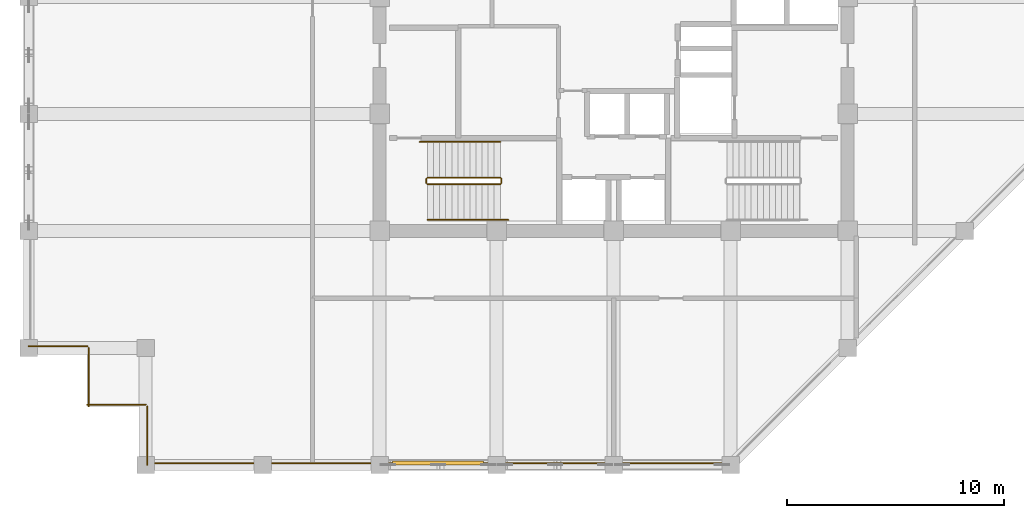
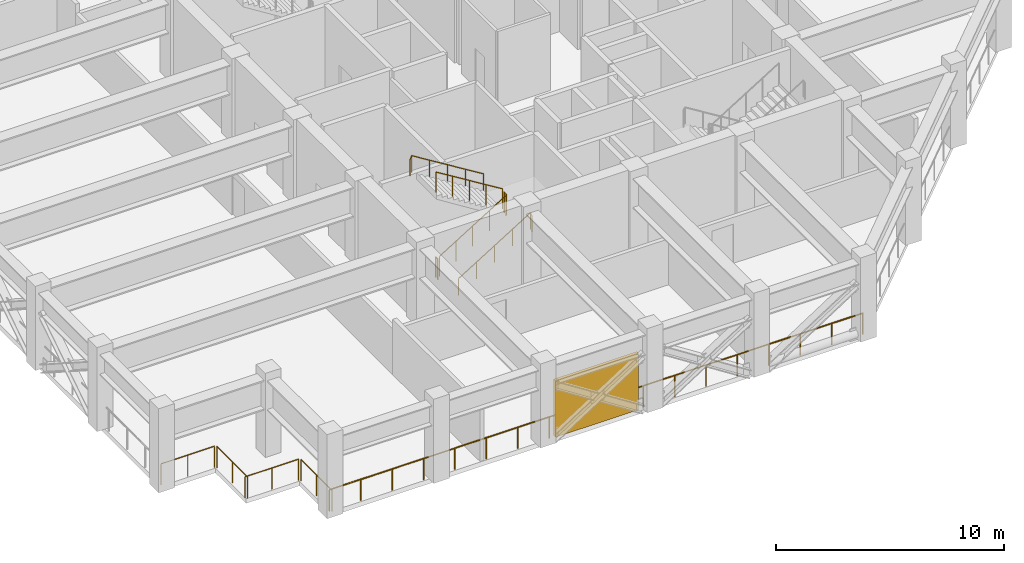
# One storey, part 7 of 11: 11 railings, 1 shading device.
"""IFC4 building model written with IfcOpenShell, lengths in metres."""

from ifc_helpers import new_model, si_unit, direction, frame, origin, origin_2d, place, context, subcontext, project, spatial, rectangle, circle, extrude, material, type_object, element, save


model = new_model("IFC4")

# Units and contexts
model_context = context("Model", 3, precision=1e-05, world=origin(), true_north=direction((0.0, 1.0)))
body_context = subcontext(model_context, "Body", "Model", "MODEL_VIEW")
ifc_project = project(units=[si_unit("LENGTHUNIT", "METRE"), si_unit("AREAUNIT", "SQUARE_METRE"), si_unit("VOLUMEUNIT", "CUBIC_METRE"), si_unit("PLANEANGLEUNIT", "RADIAN"), si_unit("MASSUNIT", "GRAM", prefix="KILO")], contexts=[model_context])

# Site, building, storey
site_placement = place(None, origin())
site = spatial("IfcSite", under=ifc_project, at=site_placement, CompositionType="ELEMENT")
building_placement = place(site_placement, origin())
building = spatial("IfcBuilding", under=site, at=building_placement, Name="Surkhivell Harbour Commons", CompositionType="ELEMENT")
storey_placement = place(building_placement, frame((0.0, 0.0, 254.25)))
storey = spatial("IfcBuildingStorey", under=building, at=storey_placement, Name="L66", CompositionType="ELEMENT", Elevation=254.25)

# Railings
ifc_material_1 = material(Name="Laminated safety glass and stainless steel S355 balustrade", Category="steel")
railing_type_1 = type_object("IfcRailingType", Name="RAL-BAL-1150", PredefinedType="BALUSTRADE", material=ifc_material_1)
railing_1_placement = place(storey_placement, frame((-21.60009765625, -21.52001953125, 0.0)))
element("IfcRailing", 1, at=railing_1_placement, inside=storey, type_object=railing_type_1, Name="L66 Perimeter Safety Guard 01", PredefinedType="BALUSTRADE", context=body_context, shape_type="SweptSolid", body=[
    extrude(circle(Radius=0.02392578125, at=origin_2d()), frame((0.0, 0.0, 1.1259765625), z_axis=(1.0, 0.0, 0.0), x_axis=(0.0, 1.0, 0.0)), (0.0, 0.0, 1.0), 27.0),
    extrude(circle(Radius=0.02099609375, at=origin_2d()), origin(), (0.0, 0.0, 1.0), 1.101806640625),
    extrude(circle(Radius=0.02099609375, at=origin_2d()), frame((1.588134765625, 0.0, 0.0)), (0.0, 0.0, 1.0), 1.101806640625),
    extrude(circle(Radius=0.02099609375, at=origin_2d()), frame((3.176513671875, 0.0, 0.0)), (0.0, 0.0, 1.0), 1.101806640625),
    extrude(circle(Radius=0.02099609375, at=origin_2d()), frame((4.7646484375, 0.0, 0.0)), (0.0, 0.0, 1.0), 1.101806640625),
    extrude(circle(Radius=0.02099609375, at=origin_2d()), frame((6.35302734375, 0.0, 0.0)), (0.0, 0.0, 1.0), 1.101806640625),
    extrude(circle(Radius=0.02099609375, at=origin_2d()), frame((7.941162109375, 0.0, 0.0)), (0.0, 0.0, 1.0), 1.101806640625),
    extrude(circle(Radius=0.02099609375, at=origin_2d()), frame((9.529296875, 0.0, 0.0)), (0.0, 0.0, 1.0), 1.101806640625),
    extrude(circle(Radius=0.02099609375, at=origin_2d()), frame((11.11767578125, 0.0, 0.0)), (0.0, 0.0, 1.0), 1.101806640625),
    extrude(circle(Radius=0.02099609375, at=origin_2d()), frame((12.705810546875, 0.0, 0.0)), (0.0, 0.0, 1.0), 1.101806640625),
    extrude(circle(Radius=0.02099609375, at=origin_2d()), frame((14.294189453125, 0.0, 0.0)), (0.0, 0.0, 1.0), 1.101806640625),
    extrude(circle(Radius=0.02099609375, at=origin_2d()), frame((15.88232421875, 0.0, 0.0)), (0.0, 0.0, 1.0), 1.101806640625),
    extrude(circle(Radius=0.02099609375, at=origin_2d()), frame((17.470703125, 0.0, 0.0)), (0.0, 0.0, 1.0), 1.101806640625),
    extrude(circle(Radius=0.02099609375, at=origin_2d()), frame((19.058837890625, 0.0, 0.0)), (0.0, 0.0, 1.0), 1.101806640625),
    extrude(circle(Radius=0.02099609375, at=origin_2d()), frame((20.64697265625, 0.0, 0.0)), (0.0, 0.0, 1.0), 1.101806640625),
    extrude(circle(Radius=0.02099609375, at=origin_2d()), frame((22.2353515625, 0.0, 0.0)), (0.0, 0.0, 1.0), 1.101806640625),
    extrude(circle(Radius=0.02099609375, at=origin_2d()), frame((23.823486328125, 0.0, 0.0)), (0.0, 0.0, 1.0), 1.101806640625),
    extrude(circle(Radius=0.02099609375, at=origin_2d()), frame((25.411865234375, 0.0, 0.0)), (0.0, 0.0, 1.0), 1.101806640625),
    extrude(circle(Radius=0.02099609375, at=origin_2d()), frame((27.0, 0.0, 0.0)), (0.0, 0.0, 1.0), 1.101806640625),
])
railing_2_placement = place(storey_placement, frame((-27.0, -16.1201171875, 0.0)))
element("IfcRailing", 2, at=railing_2_placement, inside=storey, type_object=railing_type_1, Name="L66 Perimeter Safety Guard 14", PredefinedType="BALUSTRADE", context=body_context, shape_type="SweptSolid", body=[
    extrude(circle(Radius=0.02392578125, at=origin_2d()), frame((0.0, 0.0, 1.1259765625), z_axis=(1.0, 0.0, 0.0), x_axis=(0.0, 1.0, 0.0)), (0.0, 0.0, 1.0), 2.699951171875),
    extrude(circle(Radius=0.02099609375, at=origin_2d()), origin(), (0.0, 0.0, 1.0), 1.101806640625),
    extrude(circle(Radius=0.02099609375, at=origin_2d()), frame((1.35009765625, 0.0, 0.0)), (0.0, 0.0, 1.0), 1.101806640625),
    extrude(circle(Radius=0.02099609375, at=origin_2d()), frame((2.699951171875, 0.0, 0.0)), (0.0, 0.0, 1.0), 1.101806640625),
])
railing_3_placement = place(storey_placement, frame((-24.219970703125, -16.199951171875, 0.0)))
element("IfcRailing", 3, at=railing_3_placement, inside=storey, type_object=railing_type_1, Name="L66 Perimeter Safety Guard 15", PredefinedType="BALUSTRADE", context=body_context, shape_type="SweptSolid", body=[
    extrude(circle(Radius=0.02392578125, at=origin_2d()), frame((0.0, 0.0, 1.1259765625), z_axis=(0.0, -1.0, 0.0), x_axis=(1.0, 0.0, 0.0)), (0.0, 0.0, 1.0), 2.699951171875),
    extrude(circle(Radius=0.02099609375, at=origin_2d()), origin(), (0.0, 0.0, 1.0), 1.101806640625),
    extrude(circle(Radius=0.02099609375, at=origin_2d()), frame((0.0, -1.35009765625, 0.0)), (0.0, 0.0, 1.0), 1.101806640625),
    extrude(circle(Radius=0.02099609375, at=origin_2d()), frame((0.0, -2.699951171875, 0.0)), (0.0, 0.0, 1.0), 1.101806640625),
])
railing_4_placement = place(storey_placement, frame((-24.300048828125, -18.820068359375, 0.0)))
element("IfcRailing", 4, at=railing_4_placement, inside=storey, type_object=railing_type_1, Name="L66 Perimeter Safety Guard 16", PredefinedType="BALUSTRADE", context=body_context, shape_type="SweptSolid", body=[
    extrude(circle(Radius=0.02392578125, at=origin_2d()), frame((0.0, 0.0, 1.1259765625), z_axis=(1.0, 0.0, 0.0), x_axis=(0.0, 1.0, 0.0)), (0.0, 0.0, 1.0), 2.699951171875),
    extrude(circle(Radius=0.02099609375, at=origin_2d()), origin(), (0.0, 0.0, 1.0), 1.101806640625),
    extrude(circle(Radius=0.02099609375, at=origin_2d()), frame((1.35009765625, 0.0, 0.0)), (0.0, 0.0, 1.0), 1.101806640625),
    extrude(circle(Radius=0.02099609375, at=origin_2d()), frame((2.699951171875, 0.0, 0.0)), (0.0, 0.0, 1.0), 1.101806640625),
])
railing_5_placement = place(storey_placement, frame((-21.52001953125, -18.89990234375, 0.0)))
element("IfcRailing", 5, at=railing_5_placement, inside=storey, type_object=railing_type_1, Name="L66 Perimeter Safety Guard 17", PredefinedType="BALUSTRADE", context=body_context, shape_type="SweptSolid", body=[
    extrude(circle(Radius=0.02392578125, at=origin_2d()), frame((0.0, 0.0, 1.1259765625), z_axis=(0.0, -1.0, 0.0), x_axis=(1.0, 0.0, 0.0)), (0.0, 0.0, 1.0), 2.7001953125),
    extrude(circle(Radius=0.02099609375, at=origin_2d()), origin(), (0.0, 0.0, 1.0), 1.101806640625),
    extrude(circle(Radius=0.02099609375, at=origin_2d()), frame((0.0, -1.35009765625, 0.0)), (0.0, 0.0, 1.0), 1.101806640625),
    extrude(circle(Radius=0.02099609375, at=origin_2d()), frame((0.0, -2.7001953125, 0.0)), (0.0, 0.0, 1.0), 1.101806640625),
])
ifc_material_2 = material(Name="Galvanised and painted steel S355 guard rail", Category="steel")
railing_type_2 = type_object("IfcRailingType", Name="RAL-ST-GRD1100", PredefinedType="GUARDRAIL", material=ifc_material_2)
railing_6_placement = place(storey_placement, frame((-8.590087890625, -8.639892578125, 0.173095703125)))
element("IfcRailing", 6, at=railing_6_placement, inside=storey, type_object=railing_type_2, Name="L66 ST3 stair guard 1", PredefinedType="GUARDRAIL", context=body_context, shape_type="SweptSolid", body=[
    extrude(circle(Radius=0.02392578125, at=origin_2d()), frame((0.0, 0.0, 1.076171875), z_axis=(0.850623216509, 0.0, 0.525775754039), x_axis=(0.0, 1.0, 0.0)), (0.0, 0.0, 1.0), 3.9501953125),
    extrude(circle(Radius=0.02099609375, at=origin_2d()), origin(), (0.0, 0.0, 1.0), 1.052001953125),
    extrude(circle(Radius=0.02099609375, at=origin_2d()), frame((0.840087890625, 0.0, 0.519287109375)), (0.0, 0.0, 1.0), 1.052001953125),
    extrude(circle(Radius=0.02099609375, at=origin_2d()), frame((1.68017578125, 0.0, 1.03857421875)), (0.0, 0.0, 1.0), 1.052001953125),
    extrude(circle(Radius=0.02099609375, at=origin_2d()), frame((2.52001953125, 0.0, 1.5576171875)), (0.0, 0.0, 1.0), 1.052001953125),
    extrude(circle(Radius=0.02099609375, at=origin_2d()), frame((3.360107421875, 0.0, 2.076904296875)), (0.0, 0.0, 1.0), 1.052001953125),
])
railing_7_placement = place(storey_placement, frame((-5.179931640625, -8.590087890625, 2.25)))
element("IfcRailing", 7, at=railing_7_placement, inside=storey, type_object=railing_type_2, Name="L66 ST3 stair guard 2", PredefinedType="GUARDRAIL", context=body_context, shape_type="SweptSolid", body=[
    extrude(circle(Radius=0.02392578125, at=origin_2d()), frame((0.0, 0.0, 1.076171875), z_axis=(0.0, 1.0, 0.0), x_axis=(-1.0, 0.0, 0.0)), (0.0, 0.0, 1.0), 0.2001953125),
    extrude(circle(Radius=0.02099609375, at=origin_2d()), origin(), (0.0, 0.0, 1.0), 1.052001953125),
    extrude(circle(Radius=0.02099609375, at=origin_2d()), frame((0.0, 0.2001953125, 0.0)), (0.0, 0.0, 1.0), 1.052001953125),
])
railing_8_placement = place(storey_placement, frame((-5.22998046875, -8.340087890625, 2.423095703125)))
element("IfcRailing", 8, at=railing_8_placement, inside=storey, type_object=railing_type_2, Name="L66 ST3 stair guard 3", PredefinedType="GUARDRAIL", context=body_context, shape_type="SweptSolid", body=[
    extrude(circle(Radius=0.02392578125, at=origin_2d()), frame((0.0, 0.0, 1.076171875), z_axis=(-0.850623216509, 0.0, 0.525775754039), x_axis=(0.0, -1.0, 0.0)), (0.0, 0.0, 1.0), 3.9501953125),
    extrude(circle(Radius=0.02099609375, at=origin_2d()), origin(), (0.0, 0.0, 1.0), 1.052001953125),
    extrude(circle(Radius=0.02099609375, at=origin_2d()), frame((-0.840087890625, 0.0, 0.519287109375)), (0.0, 0.0, 1.0), 1.052001953125),
    extrude(circle(Radius=0.02099609375, at=origin_2d()), frame((-1.68017578125, 0.0, 1.03857421875)), (0.0, 0.0, 1.0), 1.052001953125),
    extrude(circle(Radius=0.02099609375, at=origin_2d()), frame((-2.52001953125, 0.0, 1.5576171875)), (0.0, 0.0, 1.0), 1.052001953125),
    extrude(circle(Radius=0.02099609375, at=origin_2d()), frame((-3.360107421875, 0.0, 2.076904296875)), (0.0, 0.0, 1.0), 1.052001953125),
])
railing_9_placement = place(storey_placement, frame((-8.639892578125, -8.590087890625, 0.0)))
element("IfcRailing", 9, at=railing_9_placement, inside=storey, type_object=railing_type_2, Name="L66 ST3 stair guard 4", PredefinedType="GUARDRAIL", context=body_context, shape_type="SweptSolid", body=[
    extrude(circle(Radius=0.02392578125, at=origin_2d()), frame((0.0, 0.0, 1.076171875), z_axis=(0.0, 1.0, 0.0), x_axis=(-1.0, 0.0, 0.0)), (0.0, 0.0, 1.0), 0.2001953125),
    extrude(circle(Radius=0.02099609375, at=origin_2d()), origin(), (0.0, 0.0, 1.0), 1.052001953125),
    extrude(circle(Radius=0.02099609375, at=origin_2d()), frame((0.0, 0.2001953125, 0.0)), (0.0, 0.0, 1.0), 1.052001953125),
])
ifc_material_3 = material(Name="Brushed stainless steel S355 handrail", Category="steel")
railing_type_3 = type_object("IfcRailingType", Name="RAL-ST-HND900", PredefinedType="HANDRAIL", material=ifc_material_3)
railing_10_placement = place(storey_placement, frame((-8.590087890625, -10.2900390625, 0.173095703125)))
element("IfcRailing", 10, at=railing_10_placement, inside=storey, type_object=railing_type_3, Name="L66 ST3 stair handrail 1", PredefinedType="HANDRAIL", context=body_context, shape_type="SweptSolid", body=[
    extrude(circle(Radius=0.02392578125, at=origin_2d()), frame((0.0, 0.0, 0.8759765625), z_axis=(0.850622404505, 0.0, 0.525777067734), x_axis=(0.0, 1.0, 0.0)), (0.0, 0.0, 1.0), 4.279296875),
    extrude(circle(Radius=0.02392578125, at=origin_2d()), frame((3.64013671875, 0.0, 3.1259765625), z_axis=(0.418814502111, 0.0, -0.908071810388), x_axis=(0.0, 1.0, 0.0)), (0.0, 0.0, 1.0), 0.190673828125),
    extrude(circle(Radius=0.02099609375, at=origin_2d()), origin(), (0.0, 0.0, 1.0), 0.851806640625),
    extrude(circle(Radius=0.02099609375, at=origin_2d()), frame((0.91015625, 0.0, 0.5625)), (0.0, 0.0, 1.0), 0.851806640625),
    extrude(circle(Radius=0.02099609375, at=origin_2d()), frame((1.820068359375, 0.0, 1.125)), (0.0, 0.0, 1.0), 0.851806640625),
    extrude(circle(Radius=0.02099609375, at=origin_2d()), frame((2.72998046875, 0.0, 1.6875)), (0.0, 0.0, 1.0), 0.851806640625),
    extrude(circle(Radius=0.02099609375, at=origin_2d()), frame((3.64013671875, 0.0, 2.25)), (0.0, 0.0, 1.0), 0.851806640625),
    extrude(circle(Radius=0.02099609375, at=origin_2d()), frame((3.719970703125, 0.0, 2.076904296875)), (0.0, 0.0, 1.0), 0.851806640625),
])
railing_11_placement = place(storey_placement, frame((-5.22998046875, -6.68994140625, 2.423095703125)))
element("IfcRailing", 11, at=railing_11_placement, inside=storey, type_object=railing_type_3, Name="L66 ST3 stair handrail 2", PredefinedType="HANDRAIL", context=body_context, shape_type="SweptSolid", body=[
    extrude(circle(Radius=0.02392578125, at=origin_2d()), frame((0.0, 0.0, 0.8759765625), z_axis=(-0.850622404505, 0.0, 0.525777067734), x_axis=(0.0, -1.0, 0.0)), (0.0, 0.0, 1.0), 4.279296875),
    extrude(circle(Radius=0.02392578125, at=origin_2d()), frame((-3.64013671875, 0.0, 3.1259765625), z_axis=(-0.418814502111, 0.0, -0.908071810388), x_axis=(0.0, -1.0, 0.0)), (0.0, 0.0, 1.0), 0.190673828125),
    extrude(circle(Radius=0.02099609375, at=origin_2d()), origin(), (0.0, 0.0, 1.0), 0.851806640625),
    extrude(circle(Radius=0.02099609375, at=origin_2d()), frame((-0.91015625, 0.0, 0.5625)), (0.0, 0.0, 1.0), 0.851806640625),
    extrude(circle(Radius=0.02099609375, at=origin_2d()), frame((-1.820068359375, 0.0, 1.125)), (0.0, 0.0, 1.0), 0.851806640625),
    extrude(circle(Radius=0.02099609375, at=origin_2d()), frame((-2.72998046875, 0.0, 1.6875)), (0.0, 0.0, 1.0), 0.851806640625),
    extrude(circle(Radius=0.02099609375, at=origin_2d()), frame((-3.64013671875, 0.0, 2.25)), (0.0, 0.0, 1.0), 0.851806640625),
    extrude(circle(Radius=0.02099609375, at=origin_2d()), frame((-3.719970703125, 0.0, 2.076904296875)), (0.0, 0.0, 1.0), 0.851806640625),
])

# Shading device
ifc_material_4 = material(Name="Pale-metal acoustic weather louvre assembly", Category="aluminium")
shading_device_type = type_object("IfcShadingDeviceType", Name="SHD-LOUV-JAL", PredefinedType="JALOUSIE", material=ifc_material_4)
shading_device_placement = place(storey_placement, frame((-8.10009765625, -21.52001953125, 0.0), z_axis=(0.0, 0.0, 1.0), x_axis=(1.0, 0.0, 0.0)))
element("IfcShadingDevice", 12, at=shading_device_placement, inside=storey, type_object=shading_device_type, Name="L66 Plant Acoustic Louvre Screen LV-01", PredefinedType="JALOUSIE", context=body_context, shape_type="SweptSolid", body=[
    extrude(rectangle(XDim=4.199951171875, YDim=0.179931640625, at=origin_2d()), origin(), (0.0, 0.0, 1.0), 3.0),
])

save(model, "model.ifc")
